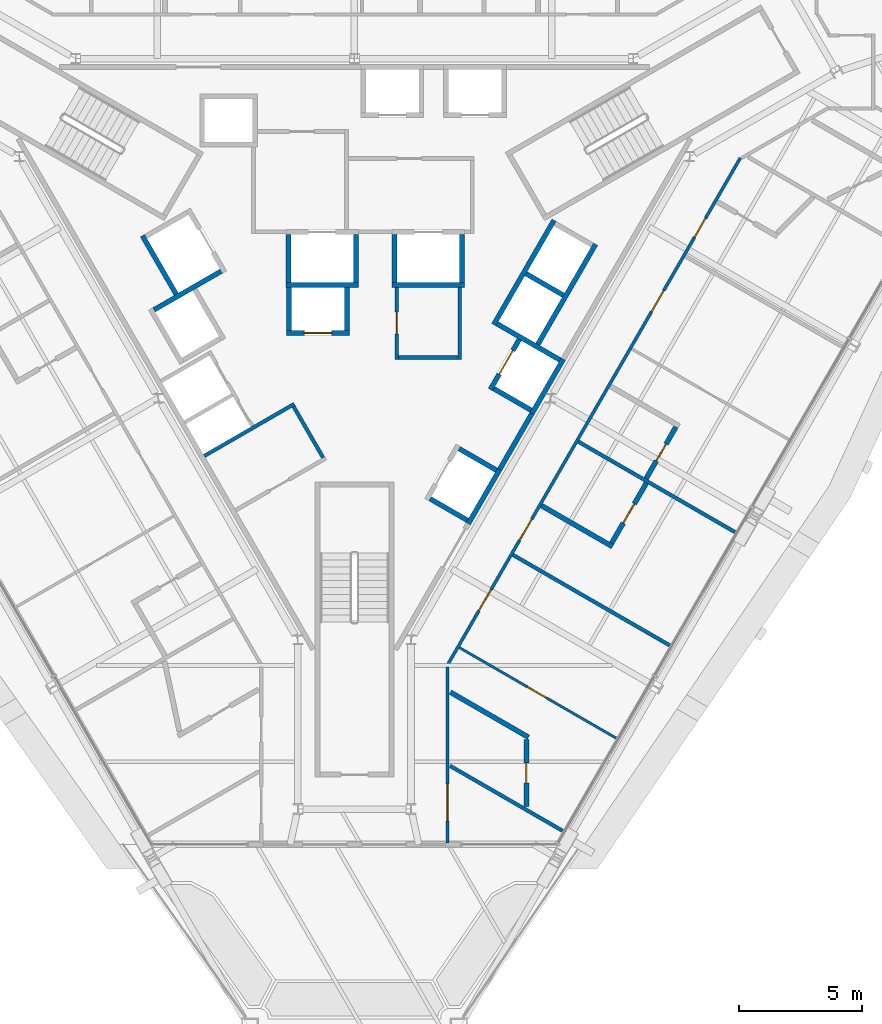
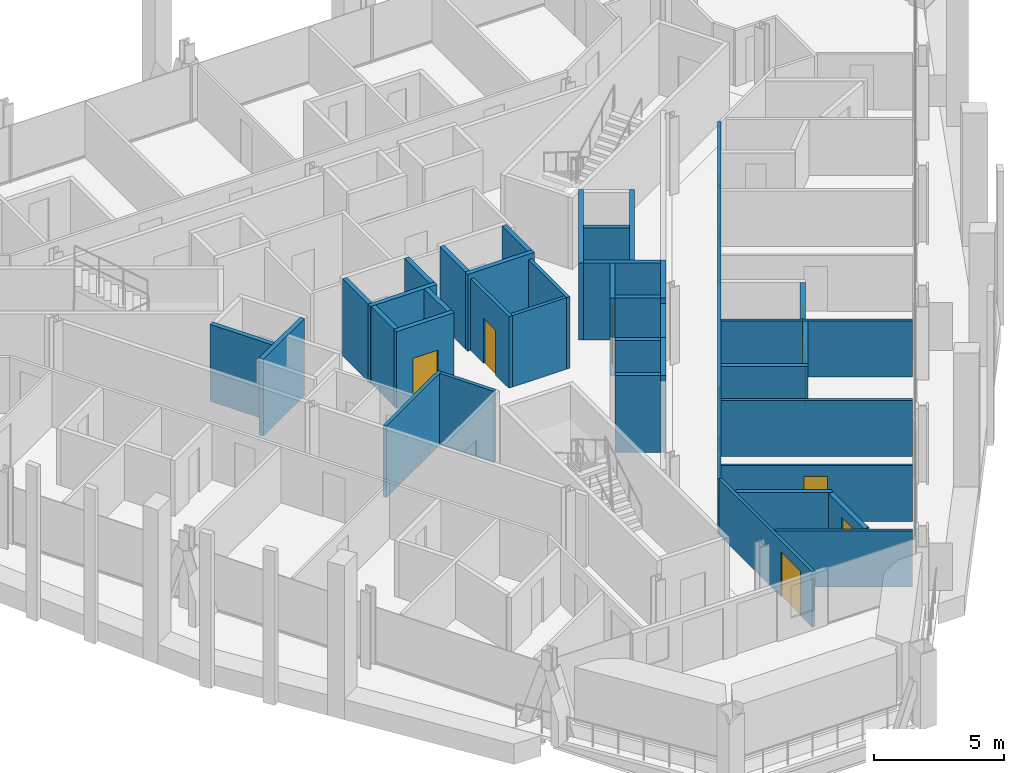
# One storey, part 11 of 16: 38 walls, 12 doors, 12 openings.
"""IFC4 building model written with IfcOpenShell, lengths in metres."""

import ifcopenshell
import ifcopenshell.guid

model = None  # the IFC model being written
_history = None  # IfcOwnerHistory: only IFC2X3 demands one
_inside = {}  # id of a spatial element -> (the spatial element, [elements in it])
_under = {}  # id of a project, library or spatial element -> (it, [spatial elements below it])
_declared = {}  # id of a project -> (the project, [libraries it declares])
_typed = {}  # id of a type object -> (the type object, [elements of that type])
_made_of = {}  # id of a material, layer set ... -> (it, [elements and type objects made of it])


def new_model(schema):
    """Start an empty IFC model of exactly this schema.

    Asked for "IFC4X3", IfcOpenShell would pick the latest addendum, in which some entities
    have other attributes; the version numbers below select the first issue.
    IFC2X3 requires an IfcOwnerHistory on every rooted entity: one is made here for all.
    """
    global model, _history
    if schema == "IFC4X3":
        model = ifcopenshell.file(schema_version=(4, 3, 0, 0))
    else:
        model = ifcopenshell.file(schema=schema)
    _inside.clear()
    _under.clear()
    _declared.clear()
    _typed.clear()
    _made_of.clear()
    _history = None
    if model.schema == "IFC2X3":
        org = make("IfcOrganization", Name="unknown")
        user = make(
            "IfcPersonAndOrganization",
            ThePerson=make("IfcPerson", FamilyName="unknown"),
            TheOrganization=org,
        )
        app = make(
            "IfcApplication",
            ApplicationDeveloper=org,
            Version="unknown",
            ApplicationFullName="unknown",
            ApplicationIdentifier="unknown",
        )
        _history = make(
            "IfcOwnerHistory",
            OwningUser=user,
            OwningApplication=app,
            ChangeAction="ADDED",
            CreationDate=0,
        )
    return model


def make(cls, **values):
    """One entity of the class cls with the attributes given. An attribute that is None is left unset."""
    return model.create_entity(
        cls, **{name: value for name, value in values.items() if value is not None}
    )


def rooted(cls, **values):
    """An entity with a GlobalId (a new one), such as an element, a storey or a relation."""
    return make(cls, GlobalId=ifcopenshell.guid.new(), OwnerHistory=_history, **values)


def si_unit(unit_type, name, prefix=None):
    """IfcSIUnit, for example si_unit("LENGTHUNIT", "METRE", prefix="MILLI")."""
    return make("IfcSIUnit", UnitType=unit_type, Prefix=prefix, Name=name)


def assignment(units):
    """IfcUnitAssignment: the units of a project."""
    return None if units is None else make("IfcUnitAssignment", Units=units)


def point(xyz):
    """IfcCartesianPoint."""
    return None if xyz is None else make("IfcCartesianPoint", Coordinates=xyz)


def direction(xyz):
    """IfcDirection."""
    return None if xyz is None else make("IfcDirection", DirectionRatios=xyz)


def frame(location, z_axis=None, x_axis=None):
    """IfcAxis2Placement3D, a coordinate frame: its origin and axes. An axis left out is left unset."""
    return make(
        "IfcAxis2Placement3D",
        Location=point(location),
        Axis=direction(z_axis),
        RefDirection=direction(x_axis),
    )


def frame_2d(location, x_axis=None):
    """IfcAxis2Placement2D, a coordinate frame in the plane: its origin and x axis."""
    return make(
        "IfcAxis2Placement2D", Location=point(location), RefDirection=direction(x_axis)
    )


def origin():
    """The frame at (0, 0, 0) with its axes left unset."""
    return frame((0.0, 0.0, 0.0))


def place(relative_to, where):
    """IfcLocalPlacement: puts the frame where relative to a parent placement (None: the world)."""
    return make(
        "IfcLocalPlacement", PlacementRelTo=relative_to, RelativePlacement=where
    )


def context(
    kind, dimensions, precision=None, world=None, true_north=None, identifier=None
):
    """IfcGeometricRepresentationContext, for example the 3D "Model" context."""
    return make(
        "IfcGeometricRepresentationContext",
        ContextIdentifier=identifier,
        ContextType=kind,
        CoordinateSpaceDimension=dimensions,
        Precision=precision,
        WorldCoordinateSystem=world,
        TrueNorth=true_north,
    )


def subcontext(parent, identifier, kind, view, scale=None):
    """IfcGeometricRepresentationSubContext, for example "Body" below "Model"."""
    return make(
        "IfcGeometricRepresentationSubContext",
        ContextIdentifier=identifier,
        ContextType=kind,
        ParentContext=parent,
        TargetScale=scale,
        TargetView=view,
    )


def project(units=None, contexts=None):
    """IfcProject with its units and contexts."""
    return rooted(
        "IfcProject",
        Name="project",
        RepresentationContexts=contexts,
        UnitsInContext=assignment(units),
    )


def spatial(cls, under=None, at=None, **own):
    """A site, building, storey or space (cls), placed at a placement, below another one or the project."""
    s = rooted(cls, ObjectPlacement=at, **own)
    if under is not None:
        _under.setdefault(under.id(), (under, []))[1].append(s)
    return s


def profile(cls, at=None, kind="AREA", **sizes):
    """A parametric profile (cls). Its sizes go by their IFC names, for example OverallWidth=200.0."""
    return make(cls, ProfileType=kind, Position=at, **sizes)


def rectangle(**sizes):
    """IfcRectangleProfileDef."""
    return profile("IfcRectangleProfileDef", **sizes)


def extrude(swept, where, along, depth):
    """IfcExtrudedAreaSolid: the profile swept, set in the frame where, extruded along a direction by depth."""
    return make(
        "IfcExtrudedAreaSolid",
        SweptArea=swept,
        Position=where,
        ExtrudedDirection=direction(along),
        Depth=depth,
    )


def shape(context_of_items, identifier, shape_type, items):
    """IfcShapeRepresentation: the items that make up one representation, for example the "Body"."""
    return make(
        "IfcShapeRepresentation",
        ContextOfItems=context_of_items,
        RepresentationIdentifier=identifier,
        RepresentationType=shape_type,
        Items=items,
    )


def material(Name=None, Category=None):
    """IfcMaterial."""
    return make("IfcMaterial", Name=Name, Category=Category)


def layer(
    of_material, thickness, ventilated=None, Name=None, Category=None, Priority=None
):
    """IfcMaterialLayer: one layer of a wall or slab, of a material (None: an air gap)."""
    return make(
        "IfcMaterialLayer",
        Material=of_material,
        LayerThickness=thickness,
        IsVentilated=ventilated,
        Name=Name,
        Category=Category,
        Priority=Priority,
    )


def layer_set(layers, Name=None):
    """IfcMaterialLayerSet."""
    return make("IfcMaterialLayerSet", MaterialLayers=layers, LayerSetName=Name)


def made_of(thing, what):
    """Note that an element or type object is made of a material, layer set ...; save() writes the relation."""
    if what is not None:
        _made_of.setdefault(what.id(), (what, []))[1].append(thing)
    return thing


def type_object(cls, material=None, **own):
    """A type object (cls), such as IfcWallType, which elements share."""
    return made_of(rooted(cls, **own), material)


def element(
    cls,
    number,
    at=None,
    inside=None,
    cuts=None,
    type_object=None,
    material=None,
    context=None,
    identifier="Body",
    shape_type=None,
    held_by="IfcProductDefinitionShape",
    body=None,
    shapes=None,
    **own,
):
    """One element of the class cls, such as IfcWall. Its Tag is "e" and its number.

    at: its placement. inside: the storey or other place that contains it. cuts: it is an
    opening in that element (IfcRelVoidsElement). A single representation is given by context,
    identifier, shape_type and body (its items); several are given by shapes. held_by: the class
    of the entity that holds the representations. save() writes the other relations.
    """
    e = rooted(cls, Tag="e%d" % number, ObjectPlacement=at, **own)
    if body is not None:
        shapes = [shape(context, identifier, shape_type, body)]
    if shapes is not None:
        e.Representation = make(held_by, Representations=shapes)
    if inside is not None:
        _inside.setdefault(inside.id(), (inside, []))[1].append(e)
    if cuts is not None:
        rooted(
            "IfcRelVoidsElement", RelatingBuildingElement=cuts, RelatedOpeningElement=e
        )
    if type_object is not None:
        _typed.setdefault(type_object.id(), (type_object, []))[1].append(e)
    return made_of(e, material)


def fill(opening, filler):
    """IfcRelFillsElement: the door or window that sits in an opening."""
    return rooted(
        "IfcRelFillsElement",
        RelatingOpeningElement=opening,
        RelatedBuildingElement=filler,
    )


def aggregate(whole, parts):
    """IfcRelAggregates: a whole, such as a stair, and the parts it consists of."""
    return rooted("IfcRelAggregates", RelatingObject=whole, RelatedObjects=parts)


def save(model, path):
    """Write the relations noted so far, then the file.

    IfcRelAggregates (storeys below a building ...), IfcRelContainedInSpatialStructure (elements
    in a storey), IfcRelDefinesByType, IfcRelAssociatesMaterial and IfcRelDeclares: one each for
    every whole, place, type object, material and project.
    """
    for whole, parts in _under.values():
        aggregate(whole, parts)
    for where, things in _inside.values():
        rooted(
            "IfcRelContainedInSpatialStructure",
            RelatedElements=things,
            RelatingStructure=where,
        )
    for kind, things in _typed.values():
        rooted("IfcRelDefinesByType", RelatedObjects=things, RelatingType=kind)
    for what, things in _made_of.values():
        rooted("IfcRelAssociatesMaterial", RelatedObjects=things, RelatingMaterial=what)
    for by, libraries in _declared.values():
        rooted("IfcRelDeclares", RelatingContext=by, RelatedDefinitions=libraries)
    model.write(path)


model = new_model("IFC4")

# Units and contexts
model_context = context("Model", 3, precision=1e-05, world=origin(), true_north=direction((0.0, 1.0)))
body_context = subcontext(model_context, "Body", "Model", "MODEL_VIEW")
ifc_project = project(units=[si_unit("LENGTHUNIT", "METRE"), si_unit("AREAUNIT", "SQUARE_METRE"), si_unit("VOLUMEUNIT", "CUBIC_METRE"), si_unit("PLANEANGLEUNIT", "RADIAN"), si_unit("MASSUNIT", "GRAM", prefix="KILO")], contexts=[model_context])

# Site, building, storey
site_placement = place(None, origin())
site = spatial("IfcSite", under=ifc_project, at=site_placement, CompositionType="ELEMENT")
building_placement = place(site_placement, origin())
building = spatial("IfcBuilding", under=site, at=building_placement, Name="Verrane Prism Tower", CompositionType="ELEMENT")
storey_placement = place(building_placement, frame((0.0, 0.0, 114.39990234375)))
storey = spatial("IfcBuildingStorey", under=building, at=storey_placement, Name="L27", CompositionType="ELEMENT", Elevation=114.39990234375)

# Wall
ifc_material_1 = material(Name="Gypsum board partition", Category="other")
ifc_layer_1 = layer(ifc_material_1, 0.199951171875)
ifc_layer_set_1 = layer_set([ifc_layer_1], Name="CW-200 core boundary wall 2 h")
wall_type_1 = type_object("IfcWallType", Name="CW-200 core boundary wall 2 h", PredefinedType="PARTITIONING", material=ifc_layer_set_1)
wall_1_placement = place(storey_placement, frame((5.906005859375, -7.489990234375, 0.0), z_axis=(0.0, 0.0, 1.0), x_axis=(0.500252727967, 0.865879442048, 0.0)))
element("IfcWall", 1, at=wall_1_placement, inside=storey, type_object=wall_type_1, Name="Core boundary wall CW3-005", PredefinedType="PARTITIONING", context=body_context, shape_type="SweptSolid", body=[
    extrude(rectangle(XDim=2.616943359375, YDim=0.199951171875, at=frame_2d((1.30859375, 0.0))), origin(), (0.0, 0.0, 1.0), 3.35009765625),
])

# Wall, opening, door
ifc_material_2 = material(Name="Gypsum board shaft wall assembly", Category="other")
ifc_layer_2 = layer(ifc_material_2, 0.199951171875)
ifc_layer_set_2 = layer_set([ifc_layer_2], Name="HW-200 lift shaft wall 2 h")
wall_type_2 = type_object("IfcWallType", Name="HW-200 lift shaft wall 2 h", PredefinedType="PARTITIONING", material=ifc_layer_set_2)
wall_2_placement = place(storey_placement, frame((-2.7548828125, -1.949951171875, 0.0), z_axis=(0.0, 0.0, 1.0), x_axis=(1.0, 0.0, 0.0)))
wall_2 = element("IfcWall", 2, at=wall_2_placement, inside=storey, type_object=wall_type_2, Name="Lift shaft wall", PredefinedType="PARTITIONING", context=body_context, shape_type="SweptSolid", body=[
    extrude(rectangle(XDim=2.5498046875, YDim=0.199951171875, at=frame_2d((1.27490234375, 0.0))), origin(), (0.0, 0.0, 1.0), 3.60009765625),
])
opening_1_placement = place(wall_2_placement, frame((0.72509765625, 0.0, 0.0)))
opening_1 = element("IfcOpeningElement", 3, at=opening_1_placement, cuts=wall_2, Name="Opening D27504", PredefinedType="OPENING", context=body_context, shape_type="SweptSolid", body=[
    extrude(rectangle(XDim=1.10009765625, YDim=2.10009765625, at=frame_2d((0.550048828125, 1.050048828125))), frame((0.0, 0.10986328125, 0.0), z_axis=(0.0, -1.0, 0.0), x_axis=(1.0, 0.0, 0.0)), (0.0, 0.0, 1.0), 0.219970703125),
])
ifc_material_3 = material(Name="Stainless steel sliding landing door", Category="steel")
door_type_1 = type_object("IfcDoorType", Name="LD-1100x2100 lift landing door FD90 sliding", OperationType="NOTDEFINED", PredefinedType="DOOR", material=ifc_material_3)
door_1_placement = place(opening_1_placement, origin())
door_1 = element("IfcDoor", 4, at=door_1_placement, inside=storey, type_object=door_type_1, Name="Bank A lift 2 landing door", OperationType="SLIDING_TO_RIGHT", OverallHeight=2.10009765625, OverallWidth=1.10009765625, PredefinedType="DOOR", context=body_context, shape_type="SweptSolid", body=[
    extrude(rectangle(XDim=1.10009765625, YDim=2.10009765625, at=frame_2d((0.550048828125, 1.050048828125))), frame((0.0, 0.02490234375, 0.0), z_axis=(0.0, -1.0, 0.0), x_axis=(1.0, 0.0, 0.0)), (0.0, 0.0, 1.0), 0.050048828125),
])
fill(opening_1, door_1)

# Walls
wall_3_placement = place(storey_placement, frame((-2.784912109375, 0.0, 0.0), z_axis=(0.0, 0.0, 1.0), x_axis=(1.0, 0.0, 0.0)))
element("IfcWall", 5, at=wall_3_placement, inside=storey, type_object=wall_type_2, Name="Lift shaft wall", PredefinedType="PARTITIONING", context=body_context, shape_type="SweptSolid", body=[
    extrude(rectangle(XDim=2.949951171875, YDim=0.199951171875, at=frame_2d((1.47509765625, 0.0))), origin(), (0.0, 0.0, 1.0), 3.60009765625),
])
wall_4_placement = place(storey_placement, frame((1.52490234375, 0.0, 0.0), z_axis=(0.0, 0.0, 1.0), x_axis=(1.0, 0.0, 0.0)))
element("IfcWall", 6, at=wall_4_placement, inside=storey, type_object=wall_type_2, Name="Lift shaft wall", PredefinedType="PARTITIONING", context=body_context, shape_type="SweptSolid", body=[
    extrude(rectangle(XDim=2.9501953125, YDim=0.199951171875, at=frame_2d((1.47509765625, 0.0))), origin(), (0.0, 0.0, 1.0), 3.60009765625),
])
wall_5_placement = place(storey_placement, frame((-8.14453125, -1.012939453125, 0.0), z_axis=(0.0, 0.0, 1.0), x_axis=(0.866016494683, 0.500015430699, 0.0)))
element("IfcWall", 7, at=wall_5_placement, inside=storey, type_object=wall_type_2, Name="Lift shaft wall", PredefinedType="PARTITIONING", context=body_context, shape_type="SweptSolid", body=[
    extrude(rectangle(XDim=3.14990234375, YDim=0.199951171875, at=frame_2d((1.574951171875, 0.0))), origin(), (0.0, 0.0, 1.0), 3.60009765625),
])
wall_6_placement = place(storey_placement, frame((4.63037109375, -9.69970703125, 0.0), z_axis=(0.0, 0.0, 1.0), x_axis=(0.500062241894, 0.865989465428, 0.0)))
element("IfcWall", 8, at=wall_6_placement, inside=storey, type_object=wall_type_2, Name="Lift shaft wall", PredefinedType="PARTITIONING", context=body_context, shape_type="SweptSolid", body=[
    extrude(rectangle(XDim=2.550048828125, YDim=0.199951171875, at=frame_2d((1.27490234375, 0.0))), origin(), (0.0, 0.0, 1.0), 3.60009765625),
])
wall_7_placement = place(storey_placement, frame((7.215576171875, -5.222412109375, 0.0), z_axis=(0.0, 0.0, 1.0), x_axis=(0.499990435942, 0.866030925526, 0.0)))
element("IfcWall", 9, at=wall_7_placement, inside=storey, type_object=wall_type_2, Name="Lift shaft wall", PredefinedType="PARTITIONING", context=body_context, shape_type="SweptSolid", body=[
    extrude(rectangle(XDim=2.5498046875, YDim=0.199951171875, at=frame_2d((1.27490234375, 0.0))), origin(), (0.0, 0.0, 1.0), 3.60009765625),
])
wall_8_placement = place(storey_placement, frame((7.451171875, -2.4140625, 0.0), z_axis=(0.0, 0.0, 1.0), x_axis=(0.500016218704, 0.866016039709, 0.0)))
element("IfcWall", 10, at=wall_8_placement, inside=storey, type_object=wall_type_2, Name="Lift shaft wall", PredefinedType="PARTITIONING", context=body_context, shape_type="SweptSolid", body=[
    extrude(rectangle(XDim=4.699951171875, YDim=0.199951171875, at=frame_2d((2.35009765625, 0.0))), origin(), (0.0, 0.0, 1.0), 3.60009765625),
])

# Wall, opening, door
wall_9_placement = place(storey_placement, frame((5.52685546875, -4.247314453125, 0.0), z_axis=(0.0, 0.0, 1.0), x_axis=(0.499938297808, 0.866061024631, 0.0)))
wall_9 = element("IfcWall", 11, at=wall_9_placement, inside=storey, type_object=wall_type_2, Name="Lift shaft wall", PredefinedType="PARTITIONING", context=body_context, shape_type="SweptSolid", body=[
    extrude(rectangle(XDim=2.349853515625, YDim=0.199951171875, at=frame_2d((1.1748046875, 0.0))), origin(), (0.0, 0.0, 1.0), 3.60009765625),
])
opening_2_placement = place(wall_9_placement, frame((0.72509765625, 0.0, 0.0)))
opening_2 = element("IfcOpeningElement", 12, at=opening_2_placement, cuts=wall_9, Name="Opening D27507", PredefinedType="OPENING", context=body_context, shape_type="SweptSolid", body=[
    extrude(rectangle(XDim=1.10009765625, YDim=2.10009765625, at=frame_2d((0.550048828125, 1.050048828125))), frame((0.0, 0.10986328125, 0.0), z_axis=(0.0, -1.0, 0.0), x_axis=(1.0, 0.0, 0.0)), (0.0, 0.0, 1.0), 0.219970703125),
])
door_2_placement = place(opening_2_placement, origin())
door_2 = element("IfcDoor", 13, at=door_2_placement, inside=storey, type_object=door_type_1, Name="Bank A lift 5 landing door", OperationType="SLIDING_TO_LEFT", OverallHeight=2.10009765625, OverallWidth=1.10009765625, PredefinedType="DOOR", context=body_context, shape_type="SweptSolid", body=[
    extrude(rectangle(XDim=1.10009765625, YDim=2.10009765625, at=frame_2d((0.550048828125, 1.050048828125))), frame((0.0, 0.02490234375, 0.0), z_axis=(0.0, -1.0, 0.0), x_axis=(1.0, 0.0, 0.0)), (0.0, 0.0, 1.0), 0.050048828125),
])
fill(opening_2, door_2)

# Walls
wall_10_placement = place(storey_placement, frame((5.66259765625, -1.6123046875, 0.0), z_axis=(0.0, 0.0, 1.0), x_axis=(0.49998122708, 0.866036242063, 0.0)))
element("IfcWall", 14, at=wall_10_placement, inside=storey, type_object=wall_type_2, Name="Lift shaft wall", PredefinedType="PARTITIONING", context=body_context, shape_type="SweptSolid", body=[
    extrude(rectangle(XDim=4.900146484375, YDim=0.199951171875, at=frame_2d((2.4501953125, 0.0))), origin(), (0.0, 0.0, 1.0), 3.60009765625),
])
for number, where, z_axis, x_axis, name in (
    (15, (4.375, 0.10009765625, 0.0), (0.0, 0.0, 1.0), (0.0, 1.0, 0.0), "Lift shaft wall"),
    (16, (1.625, 0.10009765625, 0.0), (0.0, 0.0, 1.0), (0.0, 1.0, 0.0), "Lift shaft wall"),
    (17, (0.06494140625, 0.10009765625, 0.0), (0.0, 0.0, 1.0), (0.0, 1.0, 0.0), "Lift shaft wall"),
):
    element("IfcWall", number, at=place(storey_placement, frame(where, z_axis=z_axis, x_axis=x_axis)), inside=storey, type_object=wall_type_2, Name=name, PredefinedType="PARTITIONING", context=body_context, shape_type="SweptSolid", body=[
        extrude(rectangle(XDim=1.949951171875, YDim=0.199951171875, at=frame_2d((0.97509765625, 0.0))), origin(), (0.0, 0.0, 1.0), 3.60009765625),
    ])
for number, where, z_axis, x_axis, name in (
    (18, (-0.304931640625, -1.85009765625, 0.0), (0.0, 0.0, 1.0), (0.0, 1.0, 0.0), "Lift shaft wall"),
    (19, (-2.655029296875, -1.85009765625, 0.0), (0.0, 0.0, 1.0), (0.0, 1.0, 0.0), "Lift shaft wall"),
):
    element("IfcWall", number, at=place(storey_placement, frame(where, z_axis=z_axis, x_axis=x_axis)), inside=storey, type_object=wall_type_2, Name=name, PredefinedType="PARTITIONING", context=body_context, shape_type="SweptSolid", body=[
        extrude(rectangle(XDim=1.75, YDim=0.199951171875, at=frame_2d((0.875, 0.0))), origin(), (0.0, 0.0, 1.0), 3.60009765625),
    ])
wall_11_placement = place(storey_placement, frame((-2.68505859375, 0.10009765625, 0.0), z_axis=(0.0, 0.0, 1.0), x_axis=(0.0, 1.0, 0.0)))
element("IfcWall", 20, at=wall_11_placement, inside=storey, type_object=wall_type_2, Name="Lift shaft wall", PredefinedType="PARTITIONING", context=body_context, shape_type="SweptSolid", body=[
    extrude(rectangle(XDim=1.949951171875, YDim=0.199951171875, at=frame_2d((0.97509765625, 0.0))), origin(), (0.0, 0.0, 1.0), 3.60009765625),
])
wall_12_placement = place(storey_placement, frame((-7.241943359375, -0.37646484375, 0.0), z_axis=(0.0, 0.0, 1.0), x_axis=(-0.499996545922, 0.866027397988, 0.0)))
element("IfcWall", 21, at=wall_12_placement, inside=storey, type_object=wall_type_2, Name="Lift shaft wall", PredefinedType="PARTITIONING", context=body_context, shape_type="SweptSolid", body=[
    extrude(rectangle(XDim=2.75, YDim=0.199951171875, at=frame_2d((1.375, 0.0))), origin(), (0.0, 0.0, 1.0), 3.60009765625),
])
wall_13_placement = place(storey_placement, frame((8.48974609375, -0.41552734375, 0.0), z_axis=(0.0, 0.0, 1.0), x_axis=(-0.866036909293, 0.499980071345, 0.0)))
element("IfcWall", 22, at=wall_13_placement, inside=storey, type_object=wall_type_2, Name="Lift shaft wall", PredefinedType="PARTITIONING", context=body_context, shape_type="SweptSolid", body=[
    extrude(rectangle(XDim=1.75, YDim=0.199951171875, at=frame_2d((0.875, 0.0))), origin(), (0.0, 0.0, 1.0), 3.60009765625),
])
wall_14_placement = place(storey_placement, frame((8.35400390625, -3.050537109375, 0.0), z_axis=(0.0, 0.0, 1.0), x_axis=(-0.866060182126, 0.499939757307, 0.0)))
element("IfcWall", 23, at=wall_14_placement, inside=storey, type_object=wall_type_2, Name="Lift shaft wall", PredefinedType="PARTITIONING", context=body_context, shape_type="SweptSolid", body=[
    extrude(rectangle(XDim=2.949951171875, YDim=0.199951171875, at=frame_2d((1.47509765625, 0.0))), origin(), (0.0, 0.0, 1.0), 3.60009765625),
])
wall_15_placement = place(storey_placement, frame((7.178955078125, -5.085693359375, 0.0), z_axis=(0.0, 0.0, 1.0), x_axis=(-0.866036909293, 0.499980071345, 0.0)))
element("IfcWall", 24, at=wall_15_placement, inside=storey, type_object=wall_type_2, Name="Lift shaft wall", PredefinedType="PARTITIONING", context=body_context, shape_type="SweptSolid", body=[
    extrude(rectangle(XDim=1.75, YDim=0.199951171875, at=frame_2d((0.875, 0.0))), origin(), (0.0, 0.0, 1.0), 3.60009765625),
])
wall_16_placement = place(storey_placement, frame((5.768798828125, -7.528076171875, 0.0), z_axis=(0.0, 0.0, 1.0), x_axis=(-0.866002029911, 0.500040482552, 0.0)))
element("IfcWall", 25, at=wall_16_placement, inside=storey, type_object=wall_type_2, Name="Lift shaft wall", PredefinedType="PARTITIONING", context=body_context, shape_type="SweptSolid", body=[
    extrude(rectangle(XDim=1.749755859375, YDim=0.199951171875, at=frame_2d((0.875, 0.0))), origin(), (0.0, 0.0, 1.0), 3.60009765625),
])
wall_17_placement = place(storey_placement, frame((4.593994140625, -9.563232421875, 0.0), z_axis=(0.0, 0.0, 1.0), x_axis=(-0.866036909293, 0.499980071345, 0.0)))
element("IfcWall", 26, at=wall_17_placement, inside=storey, type_object=wall_type_2, Name="Lift shaft wall", PredefinedType="PARTITIONING", context=body_context, shape_type="SweptSolid", body=[
    extrude(rectangle(XDim=1.75, YDim=0.199951171875, at=frame_2d((0.875, 0.0))), origin(), (0.0, 0.0, 1.0), 3.60009765625),
])

# Wall, opening, door
ifc_material_4 = material(Name="Gypsum board partition", Category="other")
ifc_layer_3 = layer(ifc_material_4, 0.10009765625)
ifc_layer_set_3 = layer_set([ifc_layer_3], Name="PW-100 room partition")
wall_type_3 = type_object("IfcWallType", Name="PW-100 room partition", PredefinedType="PARTITIONING", material=ifc_layer_set_3)
wall_18_placement = place(storey_placement, frame((10.6328125, -18.4130859375, 0.0), z_axis=(0.0, 0.0, 1.0), x_axis=(-0.8660606245, 0.499938990969, 0.0)))
wall_18 = element("IfcWall", 27, at=wall_18_placement, inside=storey, type_object=wall_type_3, Name="Room partition 045", PredefinedType="PARTITIONING", context=body_context, shape_type="SweptSolid", body=[
    extrude(rectangle(XDim=7.3525390625, YDim=0.10009765625, at=frame_2d((3.67626953125, 0.0))), origin(), (0.0, 0.0, 1.0), 2.613037109375),
])
opening_3_placement = place(wall_18_placement, frame((3.264892578125, 0.0, 0.0)))
opening_3 = element("IfcOpeningElement", 28, at=opening_3_placement, cuts=wall_18, Name="Opening D27028", PredefinedType="OPENING", context=body_context, shape_type="SweptSolid", body=[
    extrude(rectangle(XDim=0.89990234375, YDim=2.10009765625, at=frame_2d((0.449951171875, 1.050048828125))), frame((0.0, 0.06005859375, 0.0), z_axis=(0.0, -1.0, 0.0), x_axis=(1.0, 0.0, 0.0)), (0.0, 0.0, 1.0), 0.1201171875),
])
ifc_material_5 = material(Name="Timber veneered door leaf", Category="wood")
door_type_2 = type_object("IfcDoorType", Name="DR-900x2100 single leaf inner", OperationType="NOTDEFINED", PredefinedType="DOOR", material=ifc_material_5)
door_3_placement = place(opening_3_placement, origin())
door_3 = element("IfcDoor", 29, at=door_3_placement, inside=storey, type_object=door_type_2, Name="Suite Living Room door", OperationType="SINGLE_SWING_LEFT", OverallHeight=2.10009765625, OverallWidth=0.89990234375, PredefinedType="DOOR", context=body_context, shape_type="SweptSolid", body=[
    extrude(rectangle(XDim=0.89990234375, YDim=2.10009765625, at=frame_2d((0.449951171875, 1.050048828125))), frame((0.0, 0.02490234375, 0.0), z_axis=(0.0, -1.0, 0.0), x_axis=(1.0, 0.0, 0.0)), (0.0, 0.0, 1.0), 0.050048828125),
])
fill(opening_3, door_3)

ifc_material_6 = material(Name="Gypsum board partition", Category="other")
ifc_layer_4 = layer(ifc_material_6, 0.125)
ifc_layer_set_4 = layer_set([ifc_layer_4], Name="PW-125 corridor wall 1 h")
wall_type_4 = type_object("IfcWallType", Name="PW-125 corridor wall 1 h", PredefinedType="PARTITIONING", material=ifc_layer_set_4)
wall_19_placement = place(storey_placement, frame((3.787109375, -15.52490234375, 0.0), z_axis=(0.0, 0.0, 1.0), x_axis=(0.0, -1.0, 0.0)))
wall_19 = element("IfcWall", 30, at=wall_19_placement, inside=storey, type_object=wall_type_4, Name="Corridor wall 041", PredefinedType="PARTITIONING", context=body_context, shape_type="SweptSolid", body=[
    extrude(rectangle(XDim=7.14794921875, YDim=0.125, at=frame_2d((3.573974609375, 0.0))), origin(), (0.0, 0.0, 1.0), 2.613037109375),
])
opening_4_placement = place(wall_19_placement, frame((4.762939453125, 0.0, 0.0)))
opening_4 = element("IfcOpeningElement", 31, at=opening_4_placement, cuts=wall_19, Name="Opening D27026", PredefinedType="OPENING", context=body_context, shape_type="SweptSolid", body=[
    extrude(rectangle(XDim=1.5, YDim=2.10009765625, at=frame_2d((0.75, 1.050048828125))), frame((0.0, 0.072509765625, 0.0), z_axis=(0.0, -1.0, 0.0), x_axis=(1.0, 0.0, 0.0)), (0.0, 0.0, 1.0), 0.14501953125),
])
ifc_material_7 = material(Name="Timber veneered door leaf", Category="wood")
door_type_3 = type_object("IfcDoorType", Name="DR-1500x2100 FD20 double leaf public", OperationType="NOTDEFINED", PredefinedType="DOOR", material=ifc_material_7)
door_4_placement = place(opening_4_placement, origin())
door_4 = element("IfcDoor", 32, at=door_4_placement, inside=storey, type_object=door_type_3, Name="Sky Garden Lounge door", OperationType="DOUBLE_DOOR_SINGLE_SWING", OverallHeight=2.10009765625, OverallWidth=1.5, PredefinedType="DOOR", context=body_context, shape_type="SweptSolid", body=[
    extrude(rectangle(XDim=1.5, YDim=2.10009765625, at=frame_2d((0.75, 1.050048828125))), frame((0.0, 0.02490234375, 0.0), z_axis=(0.0, -1.0, 0.0), x_axis=(1.0, 0.0, 0.0)), (0.0, 0.0, 1.0), 0.050048828125),
])
fill(opening_4, door_4)

# Wall, openings, doors
wall_20_placement = place(storey_placement, frame((15.684326171875, 5.1650390625, 0.0), z_axis=(0.0, 0.0, 1.0), x_axis=(-0.500027787016, -0.866009360349, 0.0)))
wall_20 = element("IfcWall", 33, at=wall_20_placement, inside=storey, type_object=wall_type_4, Name="Corridor wall 044", PredefinedType="PARTITIONING", context=body_context, shape_type="SweptSolid", body=[
    extrude(rectangle(XDim=23.855712890625, YDim=0.125, at=frame_2d((11.927734375, 0.0))), origin(), (0.0, 0.0, 1.0), 2.613037109375),
])
opening_5_placement = place(wall_20_placement, frame((20.2451171875, 0.0, 0.0)))
opening_5 = element("IfcOpeningElement", 34, at=opening_5_placement, cuts=wall_20, Name="Opening D27027", PredefinedType="OPENING", context=body_context, shape_type="SweptSolid", body=[
    extrude(rectangle(XDim=1.0, YDim=2.10009765625, at=frame_2d((0.5, 1.050048828125))), frame((0.0, 0.072509765625, 0.0), z_axis=(0.0, -1.0, 0.0), x_axis=(1.0, 0.0, 0.0)), (0.0, 0.0, 1.0), 0.14501953125),
])
opening_6_placement = place(wall_20_placement, frame((16.943115234375, 0.0, 0.0)))
opening_6 = element("IfcOpeningElement", 35, at=opening_6_placement, cuts=wall_20, Name="Opening D27030", PredefinedType="OPENING", context=body_context, shape_type="SweptSolid", body=[
    extrude(rectangle(XDim=1.0, YDim=2.10009765625, at=frame_2d((0.5, 1.050048828125))), frame((0.0, 0.072509765625, 0.0), z_axis=(0.0, -1.0, 0.0), x_axis=(1.0, 0.0, 0.0)), (0.0, 0.0, 1.0), 0.14501953125),
])
opening_7_placement = place(wall_20_placement, frame((6.227294921875, 0.0, 0.0)))
opening_7 = element("IfcOpeningElement", 36, at=opening_7_placement, cuts=wall_20, Name="Opening D27032", PredefinedType="OPENING", context=body_context, shape_type="SweptSolid", body=[
    extrude(rectangle(XDim=1.0, YDim=2.10009765625, at=frame_2d((0.5, 1.050048828125))), frame((0.0, 0.072509765625, 0.0), z_axis=(0.0, -1.0, 0.0), x_axis=(1.0, 0.0, 0.0)), (0.0, 0.0, 1.0), 0.14501953125),
])
opening_8_placement = place(wall_20_placement, frame((2.8251953125, 0.0, 0.0)))
opening_8 = element("IfcOpeningElement", 37, at=opening_8_placement, cuts=wall_20, Name="Opening D27035", PredefinedType="OPENING", context=body_context, shape_type="SweptSolid", body=[
    extrude(rectangle(XDim=0.89990234375, YDim=2.10009765625, at=frame_2d((0.449951171875, 1.050048828125))), frame((0.0, 0.072509765625, 0.0), z_axis=(0.0, -1.0, 0.0), x_axis=(1.0, 0.0, 0.0)), (0.0, 0.0, 1.0), 0.14501953125),
])
ifc_material_8 = material(Name="Timber veneered door leaf", Category="wood")
door_type_4 = type_object("IfcDoorType", Name="DR-1000x2100 FD20 single leaf unit", OperationType="NOTDEFINED", PredefinedType="DOOR", material=ifc_material_8)
door_5_placement = place(opening_5_placement, origin())
door_5 = element("IfcDoor", 38, at=door_5_placement, inside=storey, type_object=door_type_4, Name="Suite Living Room door", OperationType="SINGLE_SWING_RIGHT", OverallHeight=2.10009765625, OverallWidth=1.0, PredefinedType="DOOR", context=body_context, shape_type="SweptSolid", body=[
    extrude(rectangle(XDim=1.0, YDim=2.10009765625, at=frame_2d((0.5, 1.050048828125))), frame((0.0, 0.02490234375, 0.0), z_axis=(0.0, -1.0, 0.0), x_axis=(1.0, 0.0, 0.0)), (0.0, 0.0, 1.0), 0.050048828125),
])
fill(opening_5, door_5)
door_6_placement = place(opening_6_placement, origin())
door_6 = element("IfcDoor", 39, at=door_6_placement, inside=storey, type_object=door_type_4, Name="Accessible Guest Room door", OperationType="SINGLE_SWING_LEFT", OverallHeight=2.10009765625, OverallWidth=1.0, PredefinedType="DOOR", context=body_context, shape_type="SweptSolid", body=[
    extrude(rectangle(XDim=1.0, YDim=2.10009765625, at=frame_2d((0.5, 1.050048828125))), frame((0.0, 0.02490234375, 0.0), z_axis=(0.0, -1.0, 0.0), x_axis=(1.0, 0.0, 0.0)), (0.0, 0.0, 1.0), 0.050048828125),
])
fill(opening_6, door_6)
door_7_placement = place(opening_7_placement, origin())
door_7 = element("IfcDoor", 40, at=door_7_placement, inside=storey, type_object=door_type_4, Name="Suite Living Room door", OperationType="SINGLE_SWING_LEFT", OverallHeight=2.10009765625, OverallWidth=1.0, PredefinedType="DOOR", context=body_context, shape_type="SweptSolid", body=[
    extrude(rectangle(XDim=1.0, YDim=2.10009765625, at=frame_2d((0.5, 1.050048828125))), frame((0.0, 0.02490234375, 0.0), z_axis=(0.0, -1.0, 0.0), x_axis=(1.0, 0.0, 0.0)), (0.0, 0.0, 1.0), 0.050048828125),
])
fill(opening_7, door_7)
ifc_material_9 = material(Name="Timber veneered door leaf", Category="wood")
door_type_5 = type_object("IfcDoorType", Name="DR-900x2100 FD20 single leaf unit", OperationType="NOTDEFINED", PredefinedType="DOOR", material=ifc_material_9)
door_8_placement = place(opening_8_placement, origin())
door_8 = element("IfcDoor", 41, at=door_8_placement, inside=storey, type_object=door_type_5, Name="Guest Room door", OperationType="SINGLE_SWING_RIGHT", OverallHeight=2.10009765625, OverallWidth=0.89990234375, PredefinedType="DOOR", context=body_context, shape_type="SweptSolid", body=[
    extrude(rectangle(XDim=0.89990234375, YDim=2.10009765625, at=frame_2d((0.449951171875, 1.050048828125))), frame((0.0, 0.02490234375, 0.0), z_axis=(0.0, -1.0, 0.0), x_axis=(1.0, 0.0, 0.0)), (0.0, 0.0, 1.0), 0.050048828125),
])
fill(opening_8, door_8)

# Walls
ifc_material_10 = material(Name="Gypsum board partition", Category="other")
ifc_layer_5 = layer(ifc_material_10, 0.14990234375)
ifc_layer_set_5 = layer_set([ifc_layer_5], Name="PW-150 demising wall 1 h")
wall_type_5 = type_object("IfcWallType", Name="PW-150 demising wall 1 h", PredefinedType="PARTITIONING", material=ifc_layer_set_5)
wall_21_placement = place(storey_placement, frame((3.886962890625, -19.543701171875, 0.0), z_axis=(0.0, 0.0, 1.0), x_axis=(0.866042279195, -0.499970769793, 0.0)))
element("IfcWall", 42, at=wall_21_placement, inside=storey, type_object=wall_type_5, Name="Demising wall 042", PredefinedType="PARTITIONING", context=body_context, shape_type="SweptSolid", body=[
    extrude(rectangle(XDim=5.276611328125, YDim=0.14990234375, at=frame_2d((2.63818359375, 0.0))), origin(), (0.0, 0.0, 1.0), 2.613037109375),
])
wall_22_placement = place(storey_placement, frame((6.441162109375, -10.96826171875, 0.0), z_axis=(0.0, 0.0, 1.0), x_axis=(0.8660606245, -0.499938990969, 0.0)))
element("IfcWall", 43, at=wall_22_placement, inside=storey, type_object=wall_type_5, Name="Demising wall 048", PredefinedType="PARTITIONING", context=body_context, shape_type="SweptSolid", body=[
    extrude(rectangle(XDim=7.3525390625, YDim=0.14990234375, at=frame_2d((3.67626953125, 0.0))), origin(), (0.0, 0.0, 1.0), 2.613037109375),
])
wall_23_placement = place(storey_placement, frame((9.1025390625, -6.36865234375, 0.0), z_axis=(0.0, 0.0, 1.0), x_axis=(0.866055004685, -0.499948726231, 0.0)))
element("IfcWall", 44, at=wall_23_placement, inside=storey, type_object=wall_type_5, Name="Demising wall 052", PredefinedType="PARTITIONING", context=body_context, shape_type="SweptSolid", body=[
    extrude(rectangle(XDim=7.347412109375, YDim=0.14990234375, at=frame_2d((3.673828125, 0.0))), origin(), (0.0, 0.0, 1.0), 2.613037109375),
])
ifc_material_11 = material(Name="Gypsum board partition", Category="other")
ifc_layer_6 = layer(ifc_material_11, 0.199951171875)
ifc_layer_set_6 = layer_set([ifc_layer_6], Name="PW-200 plumbing wall")
wall_type_6 = type_object("IfcWallType", Name="PW-200 plumbing wall", PredefinedType="PARTITIONING", material=ifc_layer_set_6)
wall_24_placement = place(storey_placement, frame((3.8994140625, -16.548828125, 0.0), z_axis=(0.0, 0.0, 1.0), x_axis=(0.866074669803, -0.499914659043, 0.0)))
element("IfcWall", 45, at=wall_24_placement, inside=storey, type_object=wall_type_6, Name="Plumbing wall 043", PredefinedType="PARTITIONING", context=body_context, shape_type="SweptSolid", body=[
    extrude(rectangle(XDim=3.665283203125, YDim=0.199951171875, at=frame_2d((1.83251953125, 0.0))), origin(), (0.0, 0.0, 1.0), 2.613037109375),
])

# Wall, opening, door
wall_25_placement = place(storey_placement, frame((6.987060546875, -21.188720703125, 0.0), z_axis=(0.0, 0.0, 1.0), x_axis=(0.0, 1.0, 0.0)))
wall_25 = element("IfcWall", 46, at=wall_25_placement, inside=storey, type_object=wall_type_6, Name="Plumbing wall 049", PredefinedType="PARTITIONING", context=body_context, shape_type="SweptSolid", body=[
    extrude(rectangle(XDim=2.72265625, YDim=0.199951171875, at=frame_2d((1.361328125, 0.0))), origin(), (0.0, 0.0, 1.0), 2.613037109375),
])
opening_9_placement = place(wall_25_placement, frame((0.95556640625, 0.0, 0.0)))
opening_9 = element("IfcOpeningElement", 47, at=opening_9_placement, cuts=wall_25, Name="Opening D27029", PredefinedType="OPENING", context=body_context, shape_type="SweptSolid", body=[
    extrude(rectangle(XDim=0.800048828125, YDim=2.10009765625, at=frame_2d((0.39990234375, 1.050048828125))), frame((0.0, 0.10986328125, 0.0), z_axis=(0.0, -1.0, 0.0), x_axis=(1.0, 0.0, 0.0)), (0.0, 0.0, 1.0), 0.219970703125),
])
ifc_material_12 = material(Name="Timber veneered door leaf", Category="wood")
door_type_6 = type_object("IfcDoorType", Name="DR-800x2100 single leaf bath", OperationType="NOTDEFINED", PredefinedType="DOOR", material=ifc_material_12)
door_9_placement = place(opening_9_placement, origin())
door_9 = element("IfcDoor", 48, at=door_9_placement, inside=storey, type_object=door_type_6, Name="En-Suite door", OperationType="SINGLE_SWING_LEFT", OverallHeight=2.10009765625, OverallWidth=0.800048828125, PredefinedType="DOOR", context=body_context, shape_type="SweptSolid", body=[
    extrude(rectangle(XDim=0.800048828125, YDim=2.10009765625, at=frame_2d((0.39990234375, 1.050048828125))), frame((0.0, 0.02490234375, 0.0), z_axis=(0.0, -1.0, 0.0), x_axis=(1.0, 0.0, 0.0)), (0.0, 0.0, 1.0), 0.050048828125),
])
fill(opening_9, door_9)

# Wall
wall_26_placement = place(storey_placement, frame((7.6025390625, -8.966796875, 0.0), z_axis=(0.0, 0.0, 1.0), x_axis=(0.866020884234, -0.500007828009, 0.0)))
element("IfcWall", 49, at=wall_26_placement, inside=storey, type_object=wall_type_6, Name="Plumbing wall 051", PredefinedType="PARTITIONING", context=body_context, shape_type="SweptSolid", body=[
    extrude(rectangle(XDim=3.33251953125, YDim=0.199951171875, at=frame_2d((1.666259765625, 0.0))), origin(), (0.0, 0.0, 1.0), 2.613037109375),
])

# Wall, opening, door
wall_27_placement = place(storey_placement, frame((10.451904296875, -10.496337890625, 0.0), z_axis=(0.0, 0.0, 1.0), x_axis=(0.500061596976, 0.865989837833, 0.0)))
wall_27 = element("IfcWall", 50, at=wall_27_placement, inside=storey, type_object=wall_type_6, Name="Plumbing wall 054", PredefinedType="PARTITIONING", context=body_context, shape_type="SweptSolid", body=[
    extrude(rectangle(XDim=2.824951171875, YDim=0.199951171875, at=frame_2d((1.41259765625, 0.0))), origin(), (0.0, 0.0, 1.0), 2.613037109375),
])
opening_10_placement = place(wall_27_placement, frame((0.949951171875, 0.0, 0.0)))
opening_10 = element("IfcOpeningElement", 51, at=opening_10_placement, cuts=wall_27, Name="Opening D27031", PredefinedType="OPENING", context=body_context, shape_type="SweptSolid", body=[
    extrude(rectangle(XDim=0.89990234375, YDim=2.10009765625, at=frame_2d((0.449951171875, 1.050048828125))), frame((0.0, 0.10986328125, 0.0), z_axis=(0.0, -1.0, 0.0), x_axis=(1.0, 0.0, 0.0)), (0.0, 0.0, 1.0), 0.219970703125),
])
ifc_material_13 = material(Name="Timber veneered door leaf", Category="wood")
door_type_7 = type_object("IfcDoorType", Name="DR-900x2100 single leaf bath", OperationType="NOTDEFINED", PredefinedType="DOOR", material=ifc_material_13)
door_10_placement = place(opening_10_placement, origin())
door_10 = element("IfcDoor", 52, at=door_10_placement, inside=storey, type_object=door_type_7, Name="En-Suite door", OperationType="SINGLE_SWING_LEFT", OverallHeight=2.10009765625, OverallWidth=0.89990234375, PredefinedType="DOOR", context=body_context, shape_type="SweptSolid", body=[
    extrude(rectangle(XDim=0.89990234375, YDim=2.10009765625, at=frame_2d((0.449951171875, 1.050048828125))), frame((0.0, 0.02490234375, 0.0), z_axis=(0.0, -1.0, 0.0), x_axis=(1.0, 0.0, 0.0)), (0.0, 0.0, 1.0), 0.050048828125),
])
fill(opening_10, door_10)

wall_28_placement = place(storey_placement, frame((11.853515625, -7.8701171875, 0.0), z_axis=(0.0, 0.0, 1.0), x_axis=(0.499885111907, 0.866091724296, 0.0)))
wall_28 = element("IfcWall", 53, at=wall_28_placement, inside=storey, type_object=wall_type_6, Name="Plumbing wall 057", PredefinedType="PARTITIONING", context=body_context, shape_type="SweptSolid", body=[
    extrude(rectangle(XDim=2.42529296875, YDim=0.199951171875, at=frame_2d((1.212646484375, 0.0))), origin(), (0.0, 0.0, 1.0), 2.613037109375),
])
opening_11_placement = place(wall_28_placement, frame((0.824951171875, 0.0, 0.0)))
opening_11 = element("IfcOpeningElement", 54, at=opening_11_placement, cuts=wall_28, Name="Opening D27034", PredefinedType="OPENING", context=body_context, shape_type="SweptSolid", body=[
    extrude(rectangle(XDim=0.800048828125, YDim=2.10009765625, at=frame_2d((0.39990234375, 1.050048828125))), frame((0.0, 0.10986328125, 0.0), z_axis=(0.0, -1.0, 0.0), x_axis=(1.0, 0.0, 0.0)), (0.0, 0.0, 1.0), 0.219970703125),
])
door_11_placement = place(opening_11_placement, origin())
door_11 = element("IfcDoor", 55, at=door_11_placement, inside=storey, type_object=door_type_6, Name="En-Suite door", OperationType="SINGLE_SWING_RIGHT", OverallHeight=2.10009765625, OverallWidth=0.800048828125, PredefinedType="DOOR", context=body_context, shape_type="SweptSolid", body=[
    extrude(rectangle(XDim=0.800048828125, YDim=2.10009765625, at=frame_2d((0.39990234375, 1.050048828125))), frame((0.0, 0.02490234375, 0.0), z_axis=(0.0, -1.0, 0.0), x_axis=(1.0, 0.0, 0.0)), (0.0, 0.0, 1.0), 0.050048828125),
])
fill(opening_11, door_11)

# Walls
ifc_material_14 = material(Name="Gypsum board partition", Category="other")
ifc_layer_7 = layer(ifc_material_14, 0.14990234375)
ifc_layer_set_7 = layer_set([ifc_layer_7], Name="RS-150 riser enclosure wall 1 h")
wall_type_7 = type_object("IfcWallType", Name="RS-150 riser enclosure wall 1 h", PredefinedType="PARTITIONING", material=ifc_layer_set_7)
wall_29_placement = place(storey_placement, frame((-6.10009765625, -6.945556640625, 0.0), z_axis=(0.0, 0.0, 1.0), x_axis=(0.866038200431, 0.499977834903, 0.0)))
element("IfcWall", 56, at=wall_29_placement, inside=storey, type_object=wall_type_7, Name="Riser wall RS3-003", PredefinedType="PARTITIONING", context=body_context, shape_type="SweptSolid", body=[
    extrude(rectangle(XDim=4.220458984375, YDim=0.14990234375, at=frame_2d((2.1103515625, 0.0))), origin(), (0.0, 0.0, 1.0), 3.35009765625),
])
wall_30_placement = place(storey_placement, frame((-2.472412109375, -4.93798828125, 0.0), z_axis=(0.0, 0.0, 1.0), x_axis=(0.500045362686, -0.865999212041, 0.0)))
element("IfcWall", 57, at=wall_30_placement, inside=storey, type_object=wall_type_7, Name="Riser wall RS3-006", PredefinedType="PARTITIONING", context=body_context, shape_type="SweptSolid", body=[
    extrude(rectangle(XDim=2.399658203125, YDim=0.14990234375, at=frame_2d((1.19970703125, 0.0))), origin(), (0.0, 0.0, 1.0), 3.35009765625),
])

# Wall, opening, door
wall_31_placement = place(storey_placement, frame((1.72509765625, -0.10205078125, 0.0), z_axis=(0.0, 0.0, 1.0), x_axis=(0.0, -1.0, 0.0)))
wall_31 = element("IfcWall", 58, at=wall_31_placement, inside=storey, type_object=wall_type_7, Name="Riser wall RS3-007", PredefinedType="PARTITIONING", context=body_context, shape_type="SweptSolid", body=[
    extrude(rectangle(XDim=2.9228515625, YDim=0.14990234375, at=frame_2d((1.46142578125, 0.0))), origin(), (0.0, 0.0, 1.0), 3.35009765625),
])
opening_12_placement = place(wall_31_placement, frame((0.998046875, 0.0, 0.0)))
opening_12 = element("IfcOpeningElement", 59, at=opening_12_placement, cuts=wall_31, Name="Opening D27518", PredefinedType="OPENING", context=body_context, shape_type="SweptSolid", body=[
    extrude(rectangle(XDim=0.89990234375, YDim=2.10009765625, at=frame_2d((0.449951171875, 1.050048828125))), frame((0.0, 0.0849609375, 0.0), z_axis=(0.0, -1.0, 0.0), x_axis=(1.0, 0.0, 0.0)), (0.0, 0.0, 1.0), 0.169921875),
])
ifc_material_15 = material(Name="Timber veneered door leaf", Category="wood")
door_type_8 = type_object("IfcDoorType", Name="DR-900x2100 FD20 single leaf store", OperationType="NOTDEFINED", PredefinedType="DOOR", material=ifc_material_15)
door_12_placement = place(opening_12_placement, origin())
door_12 = element("IfcDoor", 60, at=door_12_placement, inside=storey, type_object=door_type_8, Name="Room door D27518", OperationType="SINGLE_SWING_LEFT", OverallHeight=2.10009765625, OverallWidth=0.89990234375, PredefinedType="DOOR", context=body_context, shape_type="SweptSolid", body=[
    extrude(rectangle(XDim=0.89990234375, YDim=2.10009765625, at=frame_2d((0.449951171875, 1.050048828125))), frame((0.0, 0.02490234375, 0.0), z_axis=(0.0, -1.0, 0.0), x_axis=(1.0, 0.0, 0.0)), (0.0, 0.0, 1.0), 0.050048828125),
])
fill(opening_12, door_12)

# Walls
wall_32_placement = place(storey_placement, frame((1.800048828125, -2.949951171875, 0.0), z_axis=(0.0, 0.0, 1.0), x_axis=(1.0, 0.0, 0.0)))
element("IfcWall", 61, at=wall_32_placement, inside=storey, type_object=wall_type_7, Name="Riser wall RS3-008", PredefinedType="PARTITIONING", context=body_context, shape_type="SweptSolid", body=[
    extrude(rectangle(XDim=2.39990234375, YDim=0.14990234375, at=frame_2d((1.199951171875, 0.0))), origin(), (0.0, 0.0, 1.0), 3.35009765625),
])
wall_33_placement = place(storey_placement, frame((4.27490234375, -3.02490234375, 0.0), z_axis=(0.0, 0.0, 1.0), x_axis=(0.0, 1.0, 0.0)))
element("IfcWall", 62, at=wall_33_placement, inside=storey, type_object=wall_type_7, Name="Riser wall RS3-009", PredefinedType="PARTITIONING", context=body_context, shape_type="SweptSolid", body=[
    extrude(rectangle(XDim=2.9228515625, YDim=0.14990234375, at=frame_2d((1.46142578125, 0.0))), origin(), (0.0, 0.0, 1.0), 3.35009765625),
])

save(model, "model.ifc")
